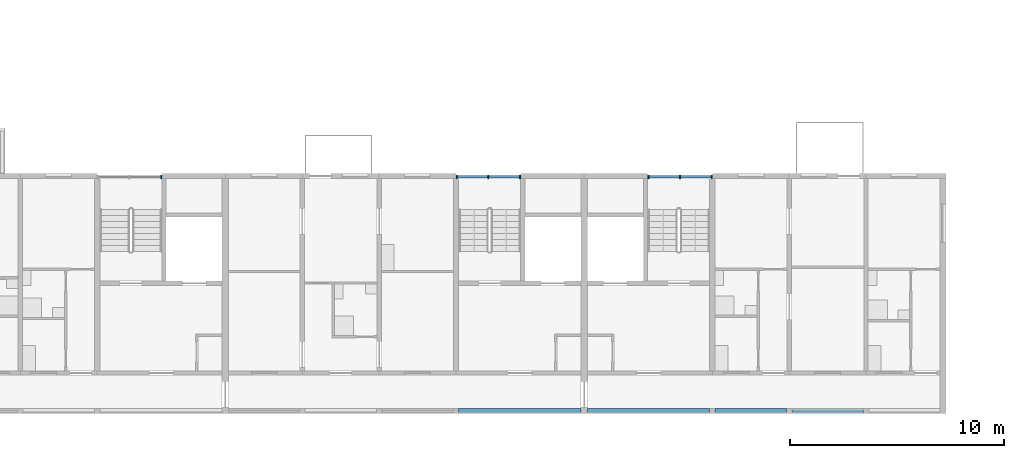
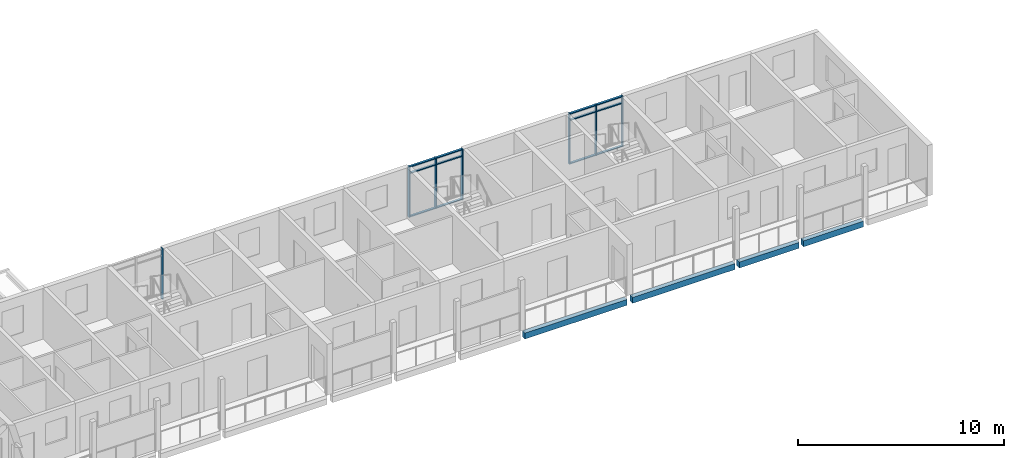
# One storey, part 9 of 94: 19 members, 4 beams, 3 elements without a shape of their own.
"""IFC4 building model written with IfcOpenShell, lengths in metres."""

from ifc_helpers import new_model, si_unit, direction, frame, origin, origin_2d, place, context, subcontext, project, spatial, rectangle, extrude, material, material_profile, profile_set, type_object, element, aggregate, save


model = new_model("IFC4")

# Units and contexts
model_context = context("Model", 3, precision=1e-05, world=origin(), true_north=direction((0.0, 1.0)))
body_context = subcontext(model_context, "Body", "Model", "MODEL_VIEW")
ifc_project = project(units=[si_unit("LENGTHUNIT", "METRE"), si_unit("AREAUNIT", "SQUARE_METRE"), si_unit("VOLUMEUNIT", "CUBIC_METRE"), si_unit("PLANEANGLEUNIT", "RADIAN"), si_unit("MASSUNIT", "GRAM", prefix="KILO")], contexts=[model_context])

# Site, building, storey
site_placement = place(None, origin())
site = spatial("IfcSite", under=ifc_project, at=site_placement, CompositionType="ELEMENT")
building_placement = place(site_placement, origin())
building = spatial("IfcBuilding", under=site, at=building_placement, Name="Ridgestep Commons", CompositionType="ELEMENT")
storey_placement = place(building_placement, frame((0.0, 0.0, 24.0)))
storey = spatial("IfcBuildingStorey", under=building, at=storey_placement, Name="L08", CompositionType="ELEMENT", Elevation=24.0)

# Beams
ifc_material_1 = material(Name="Precast concrete C40/50", Category="concrete")
ifc_material_profile_1 = material_profile(ifc_material_1, rectangle(XDim=0.25, YDim=0.35009765625, at=origin_2d()), Name="PC 250x350")
ifc_profile_set_1 = profile_set([ifc_material_profile_1], Name="Precast concrete C40/50")
beam_type = type_object("IfcBeamType", Name="Loggia edge beam 250 x 350", PredefinedType="SPANDREL", material=ifc_profile_set_1)
for number, where, z_axis, x_axis, name in (
    (1, (90.125, 11.875, -0.375), (1.0, 0.0, 0.0), (0.0, 1.0, 0.0), "Loggia edge beam A5C L08"),
    (2, (96.14990234375, 11.875, -0.375), (1.0, 0.0, 0.0), (0.0, 1.0, 0.0), "Loggia edge beam A6C L08"),
):
    element("IfcBeam", number, at=place(storey_placement, frame(where, z_axis=z_axis, x_axis=x_axis)), inside=storey, type_object=beam_type, Name=name, PredefinedType="SPANDREL", context=body_context, shape_type="SweptSolid", body=[
        extrude(rectangle(XDim=0.25, YDim=0.35009765625, at=origin_2d()), origin(), (0.0, 0.0, 1.0), 5.72509765625),
    ])
beam_1_placement = place(storey_placement, frame((102.125, 11.875, -0.375), z_axis=(1.0, 0.0, 0.0), x_axis=(0.0, 1.0, 0.0)))
element("IfcBeam", 3, at=beam_1_placement, inside=storey, type_object=beam_type, Name="Loggia edge beam A6T3 L08", PredefinedType="SPANDREL", context=body_context, shape_type="SweptSolid", body=[
    extrude(rectangle(XDim=0.25, YDim=0.35009765625, at=origin_2d()), origin(), (0.0, 0.0, 1.0), 3.35009765625),
])
beam_2_placement = place(storey_placement, frame((105.72509765625, 11.875, -0.375), z_axis=(1.0, 0.0, 0.0), x_axis=(0.0, 1.0, 0.0)))
element("IfcBeam", 4, at=beam_2_placement, inside=storey, type_object=beam_type, Name="Loggia edge beam A6T2 L08", PredefinedType="SPANDREL", context=body_context, shape_type="SweptSolid", body=[
    extrude(rectangle(XDim=0.25, YDim=0.35009765625, at=origin_2d()), origin(), (0.0, 0.0, 1.0), 3.349853515625),
])

# Curtain wall, member
ifc_material_2 = material(Name="Aluminium 6063-T6 and glass", Category="aluminium")
curtain_wall_type = type_object("IfcCurtainWallType", Name="Curtain wall stair strip", PredefinedType="NOTDEFINED", material=ifc_material_2)
curtain_wall_1_placement = place(storey_placement, origin())
curtain_wall_1 = element("IfcCurtainWall", 5, at=curtain_wall_1_placement, inside=storey, type_object=curtain_wall_type, Name="Curtain wall A4C level 08", PredefinedType="NOTDEFINED")
ifc_material_3 = material(Name="Aluminium 6063-T6", Category="aluminium")
ifc_material_profile_2 = material_profile(ifc_material_3, rectangle(XDim=0.159912109375, YDim=0.06005859375, at=origin_2d()), Name="Mullion 60 x 160")
ifc_profile_set_2 = profile_set([ifc_material_profile_2], Name="Aluminium 6063-T6")
member_type_1 = type_object("IfcMemberType", Name="Mullion 60 x 160", PredefinedType="MULLION", material=ifc_profile_set_2)
member_1_placement = place(storey_placement, frame((76.195068359375, 22.830078125, 0.0), z_axis=(0.0, 0.0, 1.0), x_axis=(0.0, 1.0, 0.0)))
member_1 = element("IfcMember", 6, at=member_1_placement, type_object=member_type_1, Name="CW1 mullion 3", PredefinedType="MULLION", context=body_context, shape_type="SweptSolid", body=[
    extrude(rectangle(XDim=0.159912109375, YDim=0.06005859375, at=origin_2d()), origin(), (0.0, 0.0, 1.0), 3.0),
])
aggregate(curtain_wall_1, [member_1])

# Curtain wall, members
curtain_wall_2_placement = place(storey_placement, origin())
curtain_wall_2 = element("IfcCurtainWall", 7, at=curtain_wall_2_placement, inside=storey, type_object=curtain_wall_type, Name="Curtain wall A5C level 08", PredefinedType="NOTDEFINED")
member_2_placement = place(storey_placement, frame((90.030029296875, 22.830078125, 0.0), z_axis=(0.0, 0.0, 1.0), x_axis=(0.0, 1.0, 0.0)))
member_2 = element("IfcMember", 8, at=member_2_placement, type_object=member_type_1, Name="CW1 mullion 1", PredefinedType="MULLION", context=body_context, shape_type="SweptSolid", body=[
    extrude(rectangle(XDim=0.159912109375, YDim=0.06005859375, at=origin_2d()), origin(), (0.0, 0.0, 1.0), 3.0),
])
member_3_placement = place(storey_placement, frame((91.512451171875, 22.830078125, 0.0), z_axis=(0.0, 0.0, 1.0), x_axis=(0.0, 1.0, 0.0)))
member_3 = element("IfcMember", 9, at=member_3_placement, type_object=member_type_1, Name="CW1 mullion 2", PredefinedType="MULLION", context=body_context, shape_type="SweptSolid", body=[
    extrude(rectangle(XDim=0.159912109375, YDim=0.06005859375, at=origin_2d()), origin(), (0.0, 0.0, 1.0), 3.0),
])
member_4_placement = place(storey_placement, frame((92.9951171875, 22.830078125, 0.0), z_axis=(0.0, 0.0, 1.0), x_axis=(0.0, 1.0, 0.0)))
member_4 = element("IfcMember", 10, at=member_4_placement, type_object=member_type_1, Name="CW1 mullion 3", PredefinedType="MULLION", context=body_context, shape_type="SweptSolid", body=[
    extrude(rectangle(XDim=0.159912109375, YDim=0.06005859375, at=origin_2d()), origin(), (0.0, 0.0, 1.0), 3.0),
])

curtain_wall_3_placement = place(storey_placement, origin())
curtain_wall_3 = element("IfcCurtainWall", 11, at=curtain_wall_3_placement, inside=storey, type_object=curtain_wall_type, Name="Curtain wall A6C level 08", PredefinedType="NOTDEFINED")
member_5_placement = place(storey_placement, frame((99.0048828125, 22.830078125, 0.0), z_axis=(0.0, 0.0, 1.0), x_axis=(0.0, 1.0, 0.0)))
member_5 = element("IfcMember", 12, at=member_5_placement, type_object=member_type_1, Name="CW1 mullion 1", PredefinedType="MULLION", context=body_context, shape_type="SweptSolid", body=[
    extrude(rectangle(XDim=0.159912109375, YDim=0.06005859375, at=origin_2d()), origin(), (0.0, 0.0, 1.0), 3.0),
])
member_6_placement = place(storey_placement, frame((100.487548828125, 22.830078125, 0.0), z_axis=(0.0, 0.0, 1.0), x_axis=(0.0, 1.0, 0.0)))
member_6 = element("IfcMember", 13, at=member_6_placement, type_object=member_type_1, Name="CW1 mullion 2", PredefinedType="MULLION", context=body_context, shape_type="SweptSolid", body=[
    extrude(rectangle(XDim=0.159912109375, YDim=0.06005859375, at=origin_2d()), origin(), (0.0, 0.0, 1.0), 3.0),
])
member_7_placement = place(storey_placement, frame((101.969970703125, 22.830078125, 0.0), z_axis=(0.0, 0.0, 1.0), x_axis=(0.0, 1.0, 0.0)))
member_7 = element("IfcMember", 14, at=member_7_placement, type_object=member_type_1, Name="CW1 mullion 3", PredefinedType="MULLION", context=body_context, shape_type="SweptSolid", body=[
    extrude(rectangle(XDim=0.159912109375, YDim=0.06005859375, at=origin_2d()), origin(), (0.0, 0.0, 1.0), 3.0),
])

# Member
ifc_material_4 = material(Name="Aluminium 6063-T6", Category="aluminium")
ifc_material_profile_3 = material_profile(ifc_material_4, rectangle(XDim=0.1201171875, YDim=0.06005859375, at=origin_2d()), Name="Transom 60 x 120")
ifc_profile_set_3 = profile_set([ifc_material_profile_3], Name="Aluminium 6063-T6")
member_type_2 = type_object("IfcMemberType", Name="Transom 60 x 120", PredefinedType="USERDEFINED", material=ifc_profile_set_3)
member_8_placement = place(storey_placement, frame((90.06005859375, 22.830078125, 0.030029296875), z_axis=(1.0, 0.0, 0.0), x_axis=(0.0, 1.0, 0.0)))
member_8 = element("IfcMember", 15, at=member_8_placement, type_object=member_type_2, Name="CW1 transom 1.1", ObjectType="TRANSOM", PredefinedType="USERDEFINED", context=body_context, shape_type="SweptSolid", body=[
    extrude(rectangle(XDim=0.1201171875, YDim=0.06005859375, at=origin_2d()), origin(), (0.0, 0.0, 1.0), 1.42236328125),
])

member_9_placement = place(storey_placement, frame((90.06005859375, 22.830078125, 2.590087890625), z_axis=(1.0, 0.0, 0.0), x_axis=(0.0, 1.0, 0.0)))
member_9 = element("IfcMember", 16, at=member_9_placement, type_object=member_type_2, Name="CW1 transom 1.2", ObjectType="TRANSOM", PredefinedType="USERDEFINED", context=body_context, shape_type="SweptSolid", body=[
    extrude(rectangle(XDim=0.1201171875, YDim=0.06005859375, at=origin_2d()), origin(), (0.0, 0.0, 1.0), 1.42236328125),
])

member_10_placement = place(storey_placement, frame((90.06005859375, 22.830078125, 2.969970703125), z_axis=(1.0, 0.0, 0.0), x_axis=(0.0, 1.0, 0.0)))
member_10 = element("IfcMember", 17, at=member_10_placement, type_object=member_type_2, Name="CW1 transom 1.3", ObjectType="TRANSOM", PredefinedType="USERDEFINED", context=body_context, shape_type="SweptSolid", body=[
    extrude(rectangle(XDim=0.1201171875, YDim=0.06005859375, at=origin_2d()), origin(), (0.0, 0.0, 1.0), 1.42236328125),
])

member_11_placement = place(storey_placement, frame((91.54248046875, 22.830078125, 0.030029296875), z_axis=(1.0, 0.0, 0.0), x_axis=(0.0, 1.0, 0.0)))
member_11 = element("IfcMember", 18, at=member_11_placement, type_object=member_type_2, Name="CW1 transom 2.1", ObjectType="TRANSOM", PredefinedType="USERDEFINED", context=body_context, shape_type="SweptSolid", body=[
    extrude(rectangle(XDim=0.1201171875, YDim=0.06005859375, at=origin_2d()), origin(), (0.0, 0.0, 1.0), 1.422607421875),
])

member_12_placement = place(storey_placement, frame((91.54248046875, 22.830078125, 2.590087890625), z_axis=(1.0, 0.0, 0.0), x_axis=(0.0, 1.0, 0.0)))
member_12 = element("IfcMember", 19, at=member_12_placement, type_object=member_type_2, Name="CW1 transom 2.2", ObjectType="TRANSOM", PredefinedType="USERDEFINED", context=body_context, shape_type="SweptSolid", body=[
    extrude(rectangle(XDim=0.1201171875, YDim=0.06005859375, at=origin_2d()), origin(), (0.0, 0.0, 1.0), 1.422607421875),
])

member_13_placement = place(storey_placement, frame((91.54248046875, 22.830078125, 2.969970703125), z_axis=(1.0, 0.0, 0.0), x_axis=(0.0, 1.0, 0.0)))
member_13 = element("IfcMember", 20, at=member_13_placement, type_object=member_type_2, Name="CW1 transom 2.3", ObjectType="TRANSOM", PredefinedType="USERDEFINED", context=body_context, shape_type="SweptSolid", body=[
    extrude(rectangle(XDim=0.1201171875, YDim=0.06005859375, at=origin_2d()), origin(), (0.0, 0.0, 1.0), 1.422607421875),
])

aggregate(curtain_wall_2, [member_2, member_3, member_4, member_8, member_9, member_10, member_11, member_12, member_13])

member_14_placement = place(storey_placement, frame((99.034912109375, 22.830078125, 0.030029296875), z_axis=(1.0, 0.0, 0.0), x_axis=(0.0, 1.0, 0.0)))
member_14 = element("IfcMember", 21, at=member_14_placement, type_object=member_type_2, Name="CW1 transom 1.1", ObjectType="TRANSOM", PredefinedType="USERDEFINED", context=body_context, shape_type="SweptSolid", body=[
    extrude(rectangle(XDim=0.1201171875, YDim=0.06005859375, at=origin_2d()), origin(), (0.0, 0.0, 1.0), 1.422607421875),
])

member_15_placement = place(storey_placement, frame((99.034912109375, 22.830078125, 2.590087890625), z_axis=(1.0, 0.0, 0.0), x_axis=(0.0, 1.0, 0.0)))
member_15 = element("IfcMember", 22, at=member_15_placement, type_object=member_type_2, Name="CW1 transom 1.2", ObjectType="TRANSOM", PredefinedType="USERDEFINED", context=body_context, shape_type="SweptSolid", body=[
    extrude(rectangle(XDim=0.1201171875, YDim=0.06005859375, at=origin_2d()), origin(), (0.0, 0.0, 1.0), 1.422607421875),
])

member_16_placement = place(storey_placement, frame((99.034912109375, 22.830078125, 2.969970703125), z_axis=(1.0, 0.0, 0.0), x_axis=(0.0, 1.0, 0.0)))
member_16 = element("IfcMember", 23, at=member_16_placement, type_object=member_type_2, Name="CW1 transom 1.3", ObjectType="TRANSOM", PredefinedType="USERDEFINED", context=body_context, shape_type="SweptSolid", body=[
    extrude(rectangle(XDim=0.1201171875, YDim=0.06005859375, at=origin_2d()), origin(), (0.0, 0.0, 1.0), 1.422607421875),
])

member_17_placement = place(storey_placement, frame((100.517578125, 22.830078125, 0.030029296875), z_axis=(1.0, 0.0, 0.0), x_axis=(0.0, 1.0, 0.0)))
member_17 = element("IfcMember", 24, at=member_17_placement, type_object=member_type_2, Name="CW1 transom 2.1", ObjectType="TRANSOM", PredefinedType="USERDEFINED", context=body_context, shape_type="SweptSolid", body=[
    extrude(rectangle(XDim=0.1201171875, YDim=0.06005859375, at=origin_2d()), origin(), (0.0, 0.0, 1.0), 1.42236328125),
])

member_18_placement = place(storey_placement, frame((100.517578125, 22.830078125, 2.590087890625), z_axis=(1.0, 0.0, 0.0), x_axis=(0.0, 1.0, 0.0)))
member_18 = element("IfcMember", 25, at=member_18_placement, type_object=member_type_2, Name="CW1 transom 2.2", ObjectType="TRANSOM", PredefinedType="USERDEFINED", context=body_context, shape_type="SweptSolid", body=[
    extrude(rectangle(XDim=0.1201171875, YDim=0.06005859375, at=origin_2d()), origin(), (0.0, 0.0, 1.0), 1.42236328125),
])

member_19_placement = place(storey_placement, frame((100.517578125, 22.830078125, 2.969970703125), z_axis=(1.0, 0.0, 0.0), x_axis=(0.0, 1.0, 0.0)))
member_19 = element("IfcMember", 26, at=member_19_placement, type_object=member_type_2, Name="CW1 transom 2.3", ObjectType="TRANSOM", PredefinedType="USERDEFINED", context=body_context, shape_type="SweptSolid", body=[
    extrude(rectangle(XDim=0.1201171875, YDim=0.06005859375, at=origin_2d()), origin(), (0.0, 0.0, 1.0), 1.42236328125),
])

aggregate(curtain_wall_3, [member_5, member_6, member_7, member_14, member_15, member_16, member_17, member_18, member_19])

save(model, "model.ifc")
